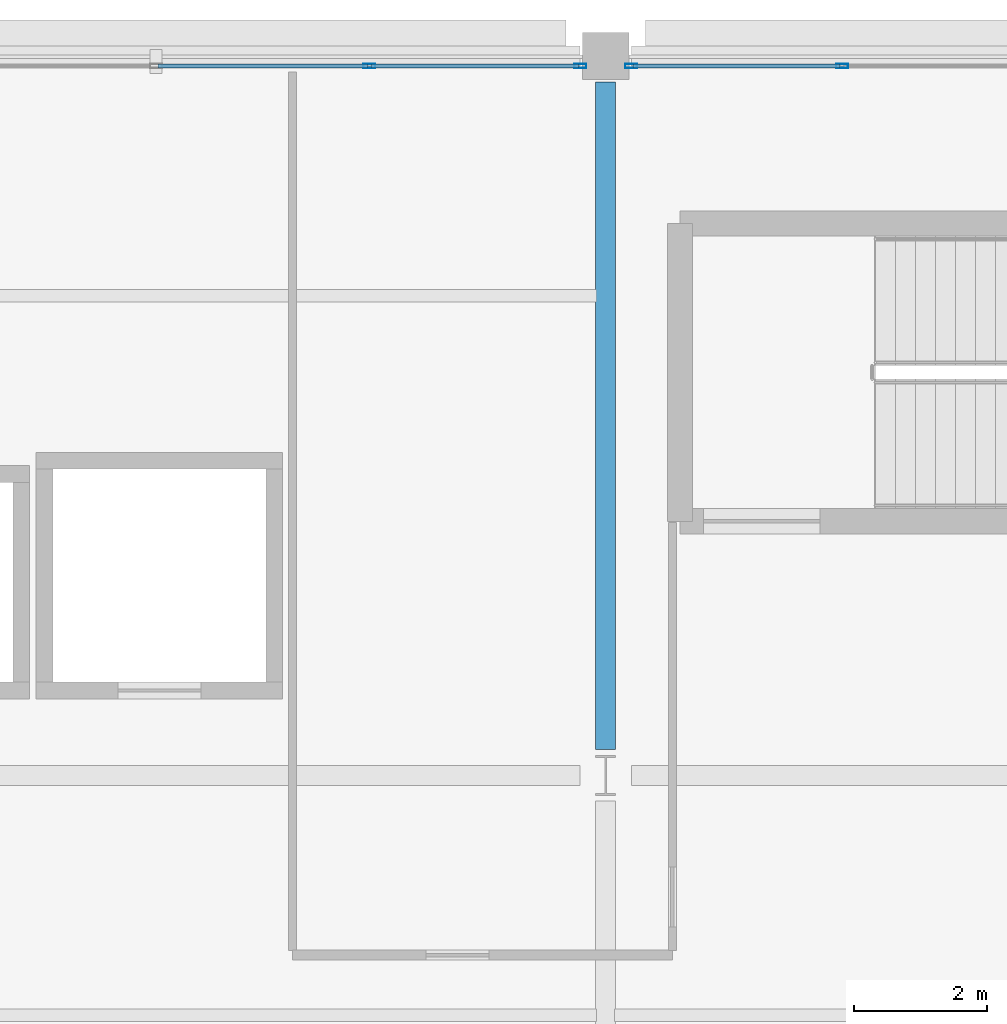
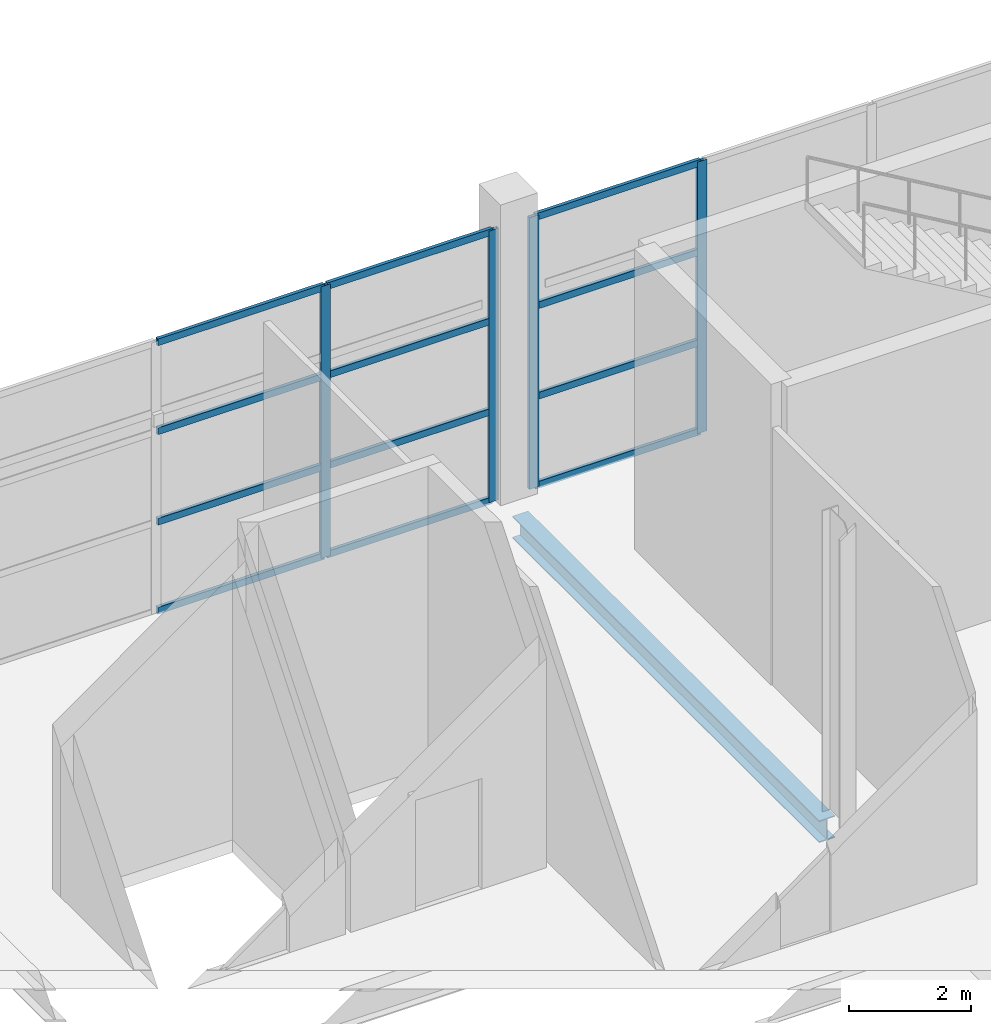
# One storey, part 145 of 191: 16 members, 1 beam, 2 elements without a shape of their own.
"""IFC4 building model written with IfcOpenShell, lengths in metres."""

from ifc_helpers import new_model, si_unit, direction, frame, origin, origin_2d, place, context, subcontext, project, spatial, hollow_rectangle, i_section, extrude, material, layer, layer_set, material_profile, profile_set, type_object, element, aggregate, save


model = new_model("IFC4")

# Units and contexts
model_context = context("Model", 3, precision=1e-05, world=origin(), true_north=direction((0.0, 1.0)))
body_context = subcontext(model_context, "Body", "Model", "MODEL_VIEW")
ifc_project = project(units=[si_unit("LENGTHUNIT", "METRE"), si_unit("AREAUNIT", "SQUARE_METRE"), si_unit("VOLUMEUNIT", "CUBIC_METRE"), si_unit("PLANEANGLEUNIT", "RADIAN"), si_unit("MASSUNIT", "GRAM", prefix="KILO")], contexts=[model_context])

# Site, building, storey
site_placement = place(None, origin())
site = spatial("IfcSite", under=ifc_project, at=site_placement, CompositionType="ELEMENT")
building_placement = place(site_placement, origin())
building = spatial("IfcBuilding", under=site, at=building_placement, Name="Tamarisk Ironworks Central Station", CompositionType="ELEMENT")
storey_placement = place(building_placement, frame((0.0, 0.0, 6.60009765625)))
storey = spatial("IfcBuildingStorey", under=building, at=storey_placement, Name="L01", CompositionType="ELEMENT", Elevation=6.60009765625)

# Beam
ifc_material_1 = material(Name="Structural steel S355J2", Category="steel")
ifc_material_profile_1 = material_profile(ifc_material_1, i_section(OverallWidth=0.300048828125, OverallDepth=0.43994140625, WebThickness=0.011474609375, FlangeThickness=0.02099609375, at=origin_2d()), Name="HEA 450")
ifc_profile_set_1 = profile_set([ifc_material_profile_1], Name="Structural steel S355J2")
beam_type = type_object("IfcBeamType", Name="BM-G06", PredefinedType="BEAM", material=ifc_profile_set_1)
beam_placement = place(storey_placement, frame((166.5, 111.988037109375, -0.47021484375), z_axis=(0.0, 1.0, 0.0), x_axis=(-1.0, 0.0, 0.0)))
element("IfcBeam", 1, at=beam_placement, inside=storey, type_object=beam_type, Name="L01 primary girder Y-0286", PredefinedType="BEAM", context=body_context, shape_type="SweptSolid", body=[
    extrude(i_section(OverallWidth=0.300048828125, OverallDepth=0.43994140625, WebThickness=0.011474609375, FlangeThickness=0.02099609375, at=origin_2d()), origin(), (0.0, 0.0, 1.0), 10.02392578125),
])

# Curtain wall, members
ifc_material_2 = material(Name="Anodized aluminium alloy 6063-T6", Category="aluminium")
ifc_layer = layer(ifc_material_2, 0.179931640625)
ifc_layer_set = layer_set([ifc_layer], Name="Anodized aluminium alloy 6063-T6")
curtain_wall_type = type_object("IfcCurtainWallType", Name="CW-16", PredefinedType="USERDEFINED", material=ifc_layer_set)
curtain_wall_1_placement = place(storey_placement, origin())
curtain_wall_1 = element("IfcCurtainWall", 2, at=curtain_wall_1_placement, inside=storey, type_object=curtain_wall_type, Name="Operations L01 north facade curtain wall 153", ObjectType="GLAZED CURTAIN WALL", PredefinedType="USERDEFINED")
ifc_material_profile_2 = material_profile(ifc_material_2, hollow_rectangle(XDim=0.06494140625, YDim=0.179931640625, WallThickness=0.00390625, at=origin_2d()), Name="ALUM 180x65")
ifc_profile_set_2 = profile_set([ifc_material_profile_2], Name="Anodized aluminium alloy 6063-T6")
member_type_1 = type_object("IfcMemberType", Name="CWM-02", PredefinedType="MULLION", material=ifc_profile_set_2)
member_1_placement = place(storey_placement, frame((162.950927734375, 122.25, 0.0), z_axis=(0.0, 0.0, 1.0), x_axis=(0.0, 1.0, 0.0)))
member_1 = element("IfcMember", 3, at=member_1_placement, type_object=member_type_1, Name="CW16 mullion 4", PredefinedType="MULLION", context=body_context, shape_type="SweptSolid", body=[
    extrude(hollow_rectangle(XDim=0.06494140625, YDim=0.179931640625, WallThickness=0.00390625, at=origin_2d()), origin(), (0.0, 0.0, 1.0), 5.419921875),
])
member_2_placement = place(storey_placement, frame((166.119384765625, 122.25, 0.0), z_axis=(0.0, 0.0, 1.0), x_axis=(0.0, 1.0, 0.0)))
member_2 = element("IfcMember", 4, at=member_2_placement, type_object=member_type_1, Name="CW16 mullion 5", PredefinedType="MULLION", context=body_context, shape_type="SweptSolid", body=[
    extrude(hollow_rectangle(XDim=0.06494140625, YDim=0.179931640625, WallThickness=0.00390625, at=origin_2d()), origin(), (0.0, 0.0, 1.0), 5.419921875),
])

curtain_wall_2_placement = place(storey_placement, origin())
curtain_wall_2 = element("IfcCurtainWall", 5, at=curtain_wall_2_placement, inside=storey, type_object=curtain_wall_type, Name="Operations L01 north facade curtain wall 166", ObjectType="GLAZED CURTAIN WALL", PredefinedType="USERDEFINED")
member_3_placement = place(storey_placement, frame((166.880615234375, 122.25, 0.0), z_axis=(0.0, 0.0, 1.0), x_axis=(0.0, 1.0, 0.0)))
member_3 = element("IfcMember", 6, at=member_3_placement, type_object=member_type_1, Name="CW16 mullion 1", PredefinedType="MULLION", context=body_context, shape_type="SweptSolid", body=[
    extrude(hollow_rectangle(XDim=0.06494140625, YDim=0.179931640625, WallThickness=0.00390625, at=origin_2d()), origin(), (0.0, 0.0, 1.0), 5.419921875),
])
member_4_placement = place(storey_placement, frame((170.049072265625, 122.25, 0.0), z_axis=(0.0, 0.0, 1.0), x_axis=(0.0, 1.0, 0.0)))
member_4 = element("IfcMember", 7, at=member_4_placement, type_object=member_type_1, Name="CW16 mullion 2", PredefinedType="MULLION", context=body_context, shape_type="SweptSolid", body=[
    extrude(hollow_rectangle(XDim=0.06494140625, YDim=0.179931640625, WallThickness=0.00390625, at=origin_2d()), origin(), (0.0, 0.0, 1.0), 5.419921875),
])

# Member
ifc_material_profile_3 = material_profile(ifc_material_2, hollow_rectangle(XDim=0.06494140625, YDim=0.135009765625, WallThickness=0.00341796875, at=origin_2d()), Name="ALUM 135x65")
ifc_profile_set_3 = profile_set([ifc_material_profile_3], Name="Anodized aluminium alloy 6063-T6")
member_type_2 = type_object("IfcMemberType", Name="CWT-02", PredefinedType="USERDEFINED", material=ifc_profile_set_3)
member_5_placement = place(storey_placement, frame((159.778564453125, 122.25, 0.032470703125), z_axis=(1.0, 0.0, 0.0), x_axis=(0.0, 1.0, 0.0)))
member_5 = element("IfcMember", 8, at=member_5_placement, type_object=member_type_2, Name="CW16 transom 3.1", ObjectType="TRANSOM", PredefinedType="USERDEFINED", context=body_context, shape_type="SweptSolid", body=[
    extrude(hollow_rectangle(XDim=0.06494140625, YDim=0.135009765625, WallThickness=0.00341796875, at=origin_2d()), origin(), (0.0, 0.0, 1.0), 3.14404296875),
])

member_6_placement = place(storey_placement, frame((159.778564453125, 122.25, 1.806640625), z_axis=(1.0, 0.0, 0.0), x_axis=(0.0, 1.0, 0.0)))
member_6 = element("IfcMember", 9, at=member_6_placement, type_object=member_type_2, Name="CW16 transom 3.2", ObjectType="TRANSOM", PredefinedType="USERDEFINED", context=body_context, shape_type="SweptSolid", body=[
    extrude(hollow_rectangle(XDim=0.06494140625, YDim=0.135009765625, WallThickness=0.00341796875, at=origin_2d()), origin(), (0.0, 0.0, 1.0), 3.14404296875),
])

member_7_placement = place(storey_placement, frame((159.778564453125, 122.25, 3.61328125), z_axis=(1.0, 0.0, 0.0), x_axis=(0.0, 1.0, 0.0)))
member_7 = element("IfcMember", 10, at=member_7_placement, type_object=member_type_2, Name="CW16 transom 3.3", ObjectType="TRANSOM", PredefinedType="USERDEFINED", context=body_context, shape_type="SweptSolid", body=[
    extrude(hollow_rectangle(XDim=0.06494140625, YDim=0.135009765625, WallThickness=0.00341796875, at=origin_2d()), origin(), (0.0, 0.0, 1.0), 3.14404296875),
])

member_8_placement = place(storey_placement, frame((159.778564453125, 122.25, 5.387451171875), z_axis=(1.0, 0.0, 0.0), x_axis=(0.0, 1.0, 0.0)))
member_8 = element("IfcMember", 11, at=member_8_placement, type_object=member_type_2, Name="CW16 transom 3.4", ObjectType="TRANSOM", PredefinedType="USERDEFINED", context=body_context, shape_type="SweptSolid", body=[
    extrude(hollow_rectangle(XDim=0.06494140625, YDim=0.135009765625, WallThickness=0.00341796875, at=origin_2d()), origin(), (0.0, 0.0, 1.0), 3.14404296875),
])

member_9_placement = place(storey_placement, frame((162.9794921875, 122.25, 0.032470703125), z_axis=(1.0, 0.0, 0.0), x_axis=(0.0, 1.0, 0.0)))
member_9 = element("IfcMember", 12, at=member_9_placement, type_object=member_type_2, Name="CW16 transom 4.1", ObjectType="TRANSOM", PredefinedType="USERDEFINED", context=body_context, shape_type="SweptSolid", body=[
    extrude(hollow_rectangle(XDim=0.06494140625, YDim=0.135009765625, WallThickness=0.00341796875, at=origin_2d()), origin(), (0.0, 0.0, 1.0), 3.111572265625),
])

member_10_placement = place(storey_placement, frame((162.9794921875, 122.25, 1.806640625), z_axis=(1.0, 0.0, 0.0), x_axis=(0.0, 1.0, 0.0)))
member_10 = element("IfcMember", 13, at=member_10_placement, type_object=member_type_2, Name="CW16 transom 4.2", ObjectType="TRANSOM", PredefinedType="USERDEFINED", context=body_context, shape_type="SweptSolid", body=[
    extrude(hollow_rectangle(XDim=0.06494140625, YDim=0.135009765625, WallThickness=0.00341796875, at=origin_2d()), origin(), (0.0, 0.0, 1.0), 3.111572265625),
])

member_11_placement = place(storey_placement, frame((162.9794921875, 122.25, 3.61328125), z_axis=(1.0, 0.0, 0.0), x_axis=(0.0, 1.0, 0.0)))
member_11 = element("IfcMember", 14, at=member_11_placement, type_object=member_type_2, Name="CW16 transom 4.3", ObjectType="TRANSOM", PredefinedType="USERDEFINED", context=body_context, shape_type="SweptSolid", body=[
    extrude(hollow_rectangle(XDim=0.06494140625, YDim=0.135009765625, WallThickness=0.00341796875, at=origin_2d()), origin(), (0.0, 0.0, 1.0), 3.111572265625),
])

member_12_placement = place(storey_placement, frame((162.9794921875, 122.25, 5.387451171875), z_axis=(1.0, 0.0, 0.0), x_axis=(0.0, 1.0, 0.0)))
member_12 = element("IfcMember", 15, at=member_12_placement, type_object=member_type_2, Name="CW16 transom 4.4", ObjectType="TRANSOM", PredefinedType="USERDEFINED", context=body_context, shape_type="SweptSolid", body=[
    extrude(hollow_rectangle(XDim=0.06494140625, YDim=0.135009765625, WallThickness=0.00341796875, at=origin_2d()), origin(), (0.0, 0.0, 1.0), 3.111572265625),
])

aggregate(curtain_wall_1, [member_1, member_2, member_5, member_6, member_7, member_8, member_9, member_10, member_11, member_12])

member_13_placement = place(storey_placement, frame((166.908935546875, 122.25, 0.032470703125), z_axis=(1.0, 0.0, 0.0), x_axis=(0.0, 1.0, 0.0)))
member_13 = element("IfcMember", 16, at=member_13_placement, type_object=member_type_2, Name="CW16 transom 1.1", ObjectType="TRANSOM", PredefinedType="USERDEFINED", context=body_context, shape_type="SweptSolid", body=[
    extrude(hollow_rectangle(XDim=0.06494140625, YDim=0.135009765625, WallThickness=0.00341796875, at=origin_2d()), origin(), (0.0, 0.0, 1.0), 3.111572265625),
])

member_14_placement = place(storey_placement, frame((166.908935546875, 122.25, 1.806640625), z_axis=(1.0, 0.0, 0.0), x_axis=(0.0, 1.0, 0.0)))
member_14 = element("IfcMember", 17, at=member_14_placement, type_object=member_type_2, Name="CW16 transom 1.2", ObjectType="TRANSOM", PredefinedType="USERDEFINED", context=body_context, shape_type="SweptSolid", body=[
    extrude(hollow_rectangle(XDim=0.06494140625, YDim=0.135009765625, WallThickness=0.00341796875, at=origin_2d()), origin(), (0.0, 0.0, 1.0), 3.111572265625),
])

member_15_placement = place(storey_placement, frame((166.908935546875, 122.25, 3.61328125), z_axis=(1.0, 0.0, 0.0), x_axis=(0.0, 1.0, 0.0)))
member_15 = element("IfcMember", 18, at=member_15_placement, type_object=member_type_2, Name="CW16 transom 1.3", ObjectType="TRANSOM", PredefinedType="USERDEFINED", context=body_context, shape_type="SweptSolid", body=[
    extrude(hollow_rectangle(XDim=0.06494140625, YDim=0.135009765625, WallThickness=0.00341796875, at=origin_2d()), origin(), (0.0, 0.0, 1.0), 3.111572265625),
])

member_16_placement = place(storey_placement, frame((166.908935546875, 122.25, 5.387451171875), z_axis=(1.0, 0.0, 0.0), x_axis=(0.0, 1.0, 0.0)))
member_16 = element("IfcMember", 19, at=member_16_placement, type_object=member_type_2, Name="CW16 transom 1.4", ObjectType="TRANSOM", PredefinedType="USERDEFINED", context=body_context, shape_type="SweptSolid", body=[
    extrude(hollow_rectangle(XDim=0.06494140625, YDim=0.135009765625, WallThickness=0.00341796875, at=origin_2d()), origin(), (0.0, 0.0, 1.0), 3.111572265625),
])

aggregate(curtain_wall_2, [member_3, member_4, member_13, member_14, member_15, member_16])

save(model, "model.ifc")
